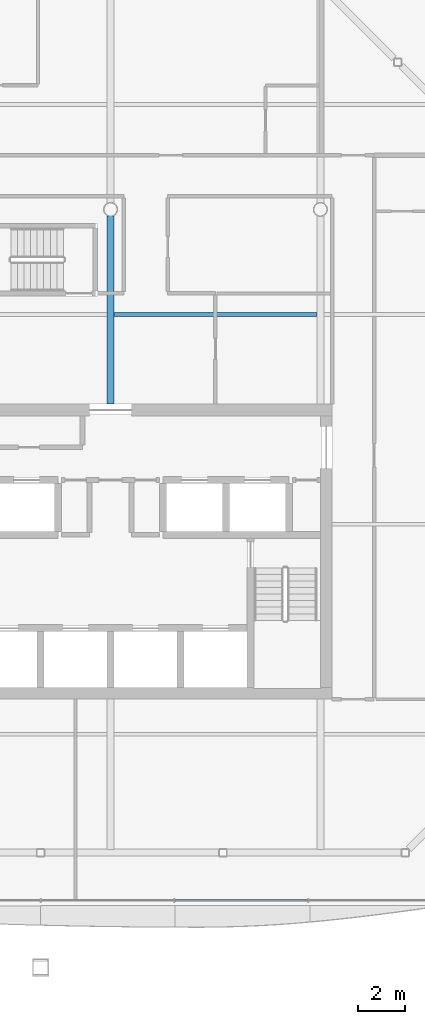
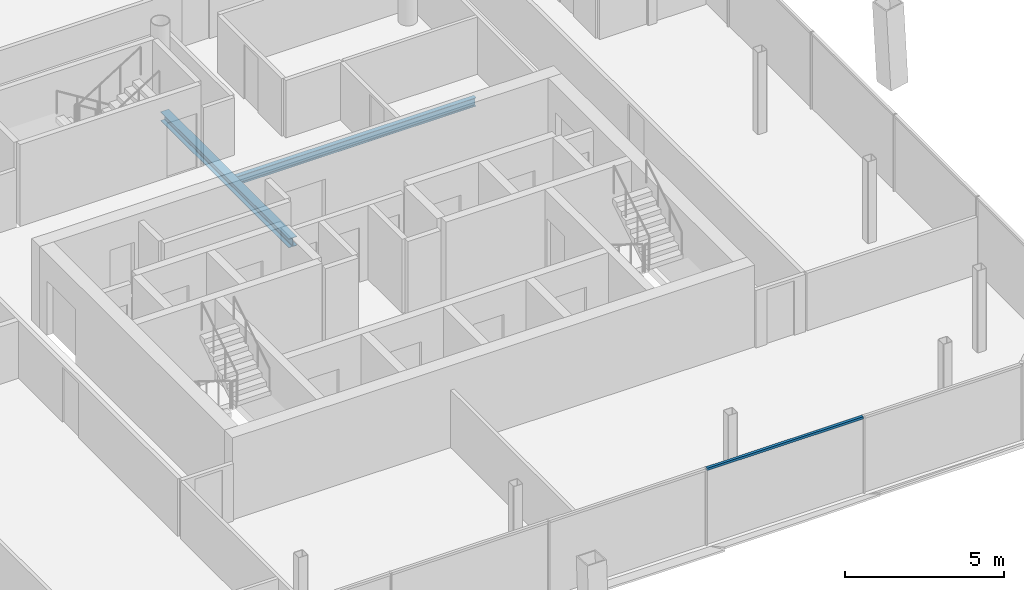
# One storey, part 7 of 20: 2 beams, 1 member, 1 element without a shape of its own.
"""IFC4 building model written with IfcOpenShell, lengths in metres."""

from ifc_helpers import new_model, si_unit, direction, frame, origin, origin_2d, place, context, subcontext, project, spatial, rectangle, i_section, extrude, material, material_profile, profile_set, type_object, element, aggregate, save


model = new_model("IFC4")

# Units and contexts
model_context = context("Model", 3, precision=1e-05, world=origin(), true_north=direction((0.0, 1.0)))
body_context = subcontext(model_context, "Body", "Model", "MODEL_VIEW")
ifc_project = project(units=[si_unit("LENGTHUNIT", "METRE"), si_unit("AREAUNIT", "SQUARE_METRE"), si_unit("VOLUMEUNIT", "CUBIC_METRE"), si_unit("PLANEANGLEUNIT", "RADIAN"), si_unit("MASSUNIT", "GRAM", prefix="KILO")], contexts=[model_context])

# Site, building, storey
site_placement = place(None, origin())
site = spatial("IfcSite", under=ifc_project, at=site_placement, CompositionType="ELEMENT")
building_placement = place(site_placement, origin())
building = spatial("IfcBuilding", under=site, at=building_placement, Name="Tskaro Facet Tower", CompositionType="ELEMENT")
storey_placement = place(building_placement, frame((0.0, 0.0, 184.800048828125)))
storey = spatial("IfcBuildingStorey", under=building, at=storey_placement, Name="L46", CompositionType="ELEMENT", Elevation=184.800048828125)

# Curtain wall, member
ifc_material_1 = material(Name="Bronze anodised aluminium 6063-T6", Category="aluminium")
curtain_wall_type = type_object("IfcCurtainWallType", Name="Bronze residence curtain wall (FW3)", PredefinedType="NOTDEFINED", material=ifc_material_1)
curtain_wall_placement = place(storey_placement, origin())
curtain_wall = element("IfcCurtainWall", 1, at=curtain_wall_placement, inside=storey, type_object=curtain_wall_type, Name="FW3 south facet L46", PredefinedType="NOTDEFINED")
ifc_material_profile_1 = material_profile(ifc_material_1, rectangle(XDim=0.10009765625, YDim=0.090087890625, at=origin_2d()), Name="Transom 100x90")
ifc_profile_set_1 = profile_set([ifc_material_profile_1], Name="Bronze anodised aluminium 6063-T6")
member_type = type_object("IfcMemberType", Name="FW3 bronze transom 100x90", PredefinedType="USERDEFINED", material=ifc_profile_set_1)
member_placement = place(storey_placement, frame((2.76123046875, -20.6279296875, 2.905029296875), z_axis=(1.0, 0.0, 0.0), x_axis=(0.0, 1.0, 0.0)))
member = element("IfcMember", 2, at=member_placement, type_object=member_type, Name="FW3 south transom 5.1", ObjectType="TRANSOM", PredefinedType="USERDEFINED", context=body_context, shape_type="SweptSolid", body=[
    extrude(rectangle(XDim=0.10009765625, YDim=0.090087890625, at=origin_2d()), origin(), (0.0, 0.0, 1.0), 5.6865234375),
])
aggregate(curtain_wall, [member])

# Beams
ifc_material_2 = material(Name="Steel S355J2", Category="steel")
ifc_material_profile_2 = material_profile(ifc_material_2, i_section(OverallWidth=0.300048828125, OverallDepth=0.35009765625, WebThickness=0.010009765625, FlangeThickness=0.017578125, FilletRadius=0.027099609375, at=origin_2d()), Name="HE 360 A")
ifc_profile_set_2 = profile_set([ifc_material_profile_2], Name="Steel S355J2")
beam_type_1 = type_object("IfcBeamType", Name="HE 360 A girder", PredefinedType="BEAM", material=ifc_profile_set_2)
beam_1_placement = place(storey_placement, frame((0.0, 0.64990234375, -0.31494140625), z_axis=(0.0, 1.0, 0.0), x_axis=(-1.0, 0.0, 0.0)))
element("IfcBeam", 3, at=beam_1_placement, inside=storey, type_object=beam_type_1, Name="HE 360 A GB4-2-4", PredefinedType="BEAM", context=body_context, shape_type="SweptSolid", body=[
    extrude(i_section(OverallWidth=0.300048828125, OverallDepth=0.35009765625, WebThickness=0.010009765625, FlangeThickness=0.017578125, FilletRadius=0.027099609375, at=origin_2d()), origin(), (0.0, 0.0, 1.0), 8.0751953125),
])
ifc_material_profile_3 = material_profile(ifc_material_2, i_section(OverallWidth=0.159912109375, OverallDepth=0.330078125, WebThickness=0.007568359375, FlangeThickness=0.011474609375, FilletRadius=0.01806640625, at=origin_2d()), Name="IPE 330")
ifc_profile_set_3 = profile_set([ifc_material_profile_3], Name="Steel S355J2")
beam_type_2 = type_object("IfcBeamType", Name="IPE 330 secondary beam", PredefinedType="BEAM", material=ifc_profile_set_3)
beam_2_placement = place(storey_placement, frame((0.14990234375, 4.5, -0.304931640625), z_axis=(1.0, 0.0, 0.0), x_axis=(0.0, 1.0, 0.0)))
element("IfcBeam", 4, at=beam_2_placement, inside=storey, type_object=beam_type_2, Name="IPE 330 SB4a-4-4", PredefinedType="BEAM", context=body_context, shape_type="SweptSolid", body=[
    extrude(i_section(OverallWidth=0.159912109375, OverallDepth=0.330078125, WebThickness=0.007568359375, FlangeThickness=0.011474609375, FilletRadius=0.01806640625, at=origin_2d()), origin(), (0.0, 0.0, 1.0), 8.7001953125),
])

save(model, "model.ifc")
